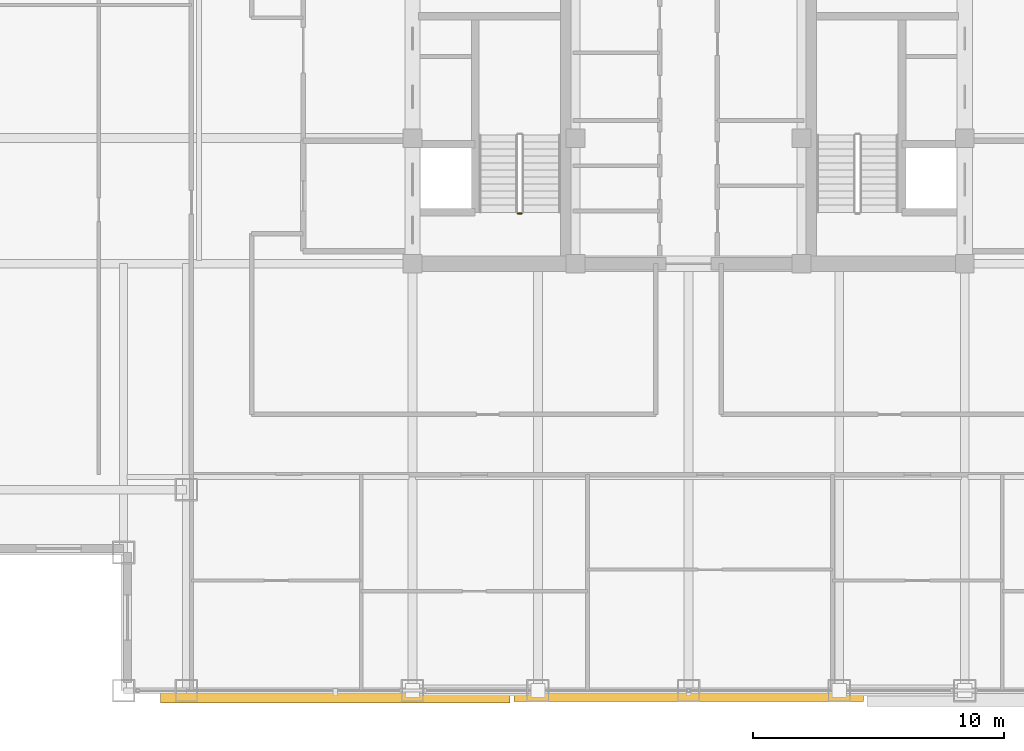
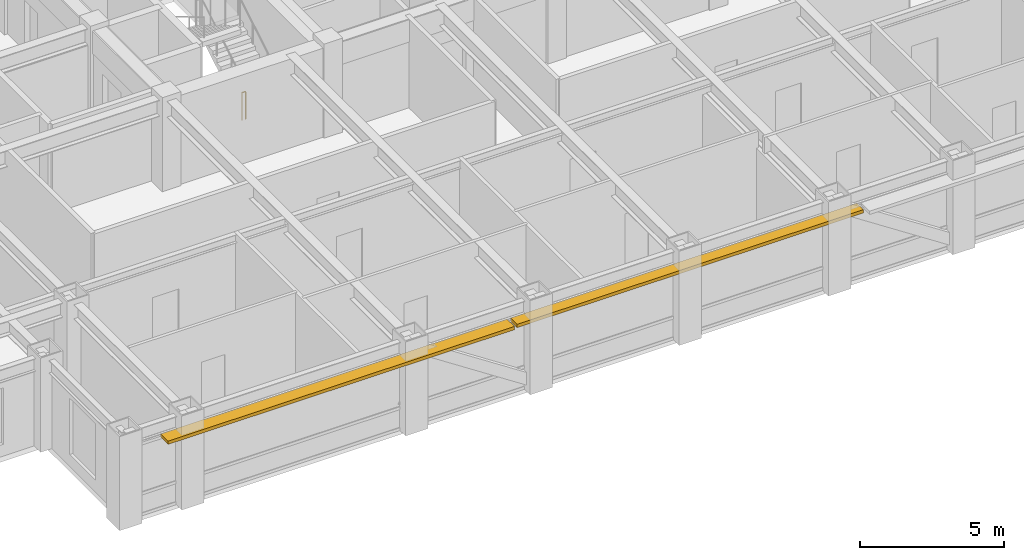
# One storey, part 23 of 27: 2 shading devices, 1 railing.
"""IFC4 building model written with IfcOpenShell, lengths in metres."""

from ifc_helpers import new_model, si_unit, direction, frame, origin, origin_2d, place, context, subcontext, project, spatial, rectangle, circle, extrude, source, transform, mapped, material, layer, layer_set, type_object, element, save


model = new_model("IFC4")

# Units and contexts
model_context = context("Model", 3, precision=1e-05, world=origin(), true_north=direction((0.0, 1.0)))
body_context = subcontext(model_context, "Body", "Model", "MODEL_VIEW")
ifc_project = project(units=[si_unit("LENGTHUNIT", "METRE"), si_unit("AREAUNIT", "SQUARE_METRE"), si_unit("VOLUMEUNIT", "CUBIC_METRE"), si_unit("PLANEANGLEUNIT", "RADIAN"), si_unit("MASSUNIT", "GRAM", prefix="KILO")], contexts=[model_context])

# Site, building, storey
site_placement = place(None, origin())
site = spatial("IfcSite", under=ifc_project, at=site_placement, CompositionType="ELEMENT")
building_placement = place(site_placement, origin())
building = spatial("IfcBuilding", under=site, at=building_placement, Name="Khorayat Bourse Tower", CompositionType="ELEMENT")
storey_placement = place(building_placement, frame((0.0, 0.0, 285.5)))
storey = spatial("IfcBuildingStorey", under=building, at=storey_placement, Name="L67", CompositionType="ELEMENT", Elevation=285.5)

# Shading devices
ifc_material_1 = material(Name="Precast concrete C45/55", Category="concrete")
ifc_layer = layer(ifc_material_1, 0.139892578125)
ifc_layer_set = layer_set([ifc_layer], Name="Precast concrete C45/55")
shading_device_type = type_object("IfcShadingDeviceType", Name="SHD-WAVE-TRAY-B", PredefinedType="USERDEFINED", material=ifc_layer_set)
shared_shape_1 = source(origin(), body_context, "Body", "SweptSolid", [
    extrude(rectangle(XDim=13.9267578125, YDim=0.523193359375, at=origin_2d()), origin(), (0.0, 0.0, 1.0), 0.139892578125),
])
shading_device_1_placement = place(storey_placement, frame((-14.066650390625, -28.24169921875, 3.0302734375), z_axis=(0.0, 0.0, 1.0), x_axis=(1.0, 0.0, 0.0)))
element("IfcShadingDevice", 1, at=shading_device_1_placement, inside=storey, type_object=shading_device_type, Name="L67 Sinusoidal Wave Sunshade Tray S-1", ObjectType="SUNSHADE", PredefinedType="USERDEFINED", context=body_context, shape_type="MappedRepresentation", body=[
    mapped(shared_shape_1, transform((0.0, 0.0, 0.0), scale=1.0)),
])
shared_shape_2 = source(origin(), body_context, "Body", "SweptSolid", [
    extrude(rectangle(XDim=13.9267578125, YDim=0.458984375, at=origin_2d()), origin(), (0.0, 0.0, 1.0), 0.139892578125),
])
shading_device_2_placement = place(storey_placement, frame((0.0, -28.209716796875, 3.0302734375), z_axis=(0.0, 0.0, 1.0), x_axis=(1.0, 0.0, 0.0)))
element("IfcShadingDevice", 2, at=shading_device_2_placement, inside=storey, type_object=shading_device_type, Name="L67 Sinusoidal Wave Sunshade Tray S-2", ObjectType="SUNSHADE", PredefinedType="USERDEFINED", context=body_context, shape_type="MappedRepresentation", body=[
    mapped(shared_shape_2, transform((0.0, 0.0, 0.0), scale=1.0)),
])

# Railing
ifc_material_2 = material(Name="Powder-coated steel balustrade", Category="steel")
railing_type = type_object("IfcRailingType", Name="RLG-GUARD-1200", PredefinedType="GUARDRAIL", material=ifc_material_2)
shared_shape_3 = source(origin(), body_context, "Body", "SweptSolid", [
    extrude(circle(Radius=0.02392578125, at=origin_2d()), frame((0.0, 0.0, 1.17578125), z_axis=(-1.0, 0.0, 0.0), x_axis=(0.0, -1.0, 0.0)), (0.0, 0.0, 1.0), 0.150146484375),
    extrude(circle(Radius=0.02099609375, at=origin_2d()), origin(), (0.0, 0.0, 1.0), 1.15185546875),
    extrude(circle(Radius=0.02099609375, at=origin_2d()), frame((-0.150146484375, 0.0, 0.0)), (0.0, 0.0, 1.0), 1.15185546875),
])
railing_placement = place(storey_placement, frame((-6.64990234375, -9.0, 0.0)))
element("IfcRailing", 3, at=railing_placement, inside=storey, type_object=railing_type, Name="L67 ST-1 stair guard 4", PredefinedType="GUARDRAIL", context=body_context, shape_type="MappedRepresentation", body=[
    mapped(shared_shape_3, transform((0.0, 0.0, 0.0), scale=1.0)),
])

save(model, "model.ifc")
